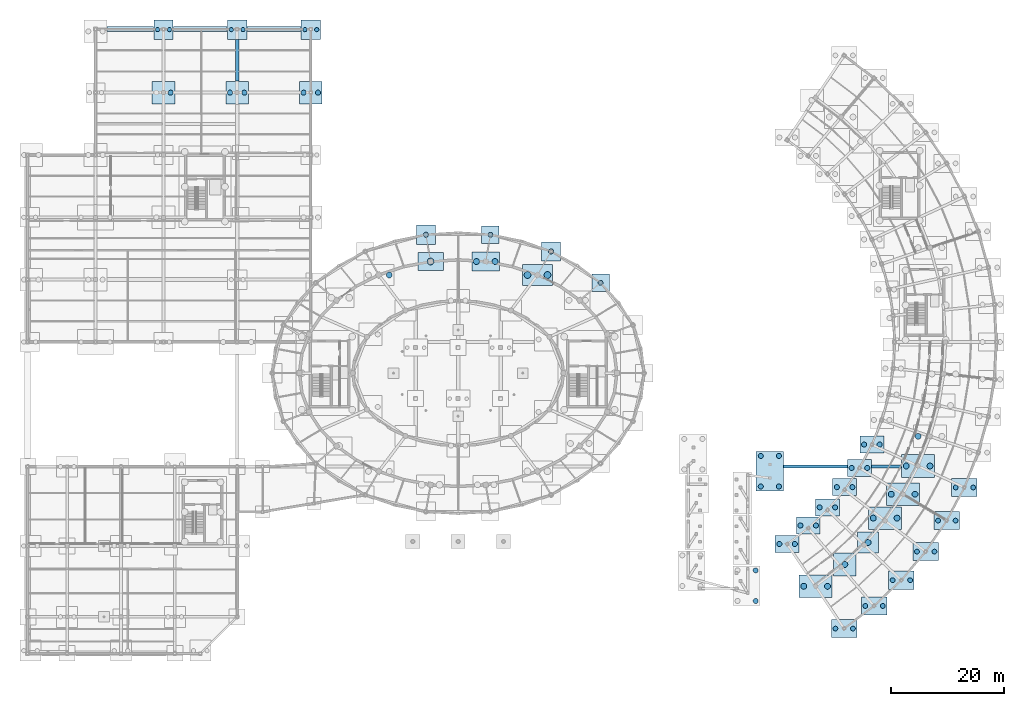
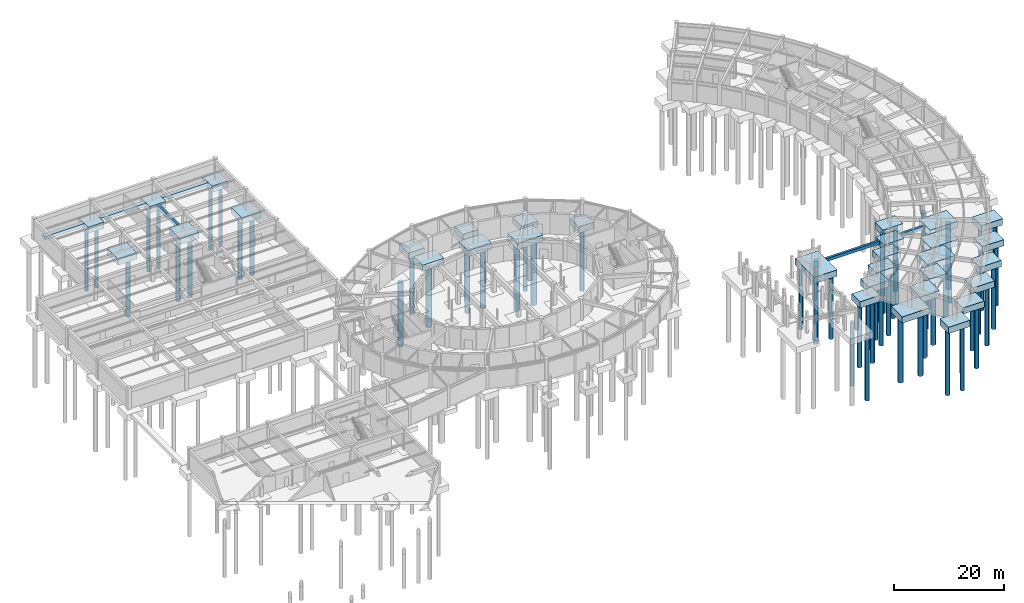
# One storey, part 4 of 42: 62 piles, 38 footings.
"""IFC4 building model written with IfcOpenShell, lengths in metres."""

from ifc_helpers import new_model, si_unit, direction, frame, origin, origin_2d, place, context, subcontext, project, spatial, polyline, rectangle, circle, outline, extrude, material, material_profile, profile_set, type_object, element, save


model = new_model("IFC4")

# Units and contexts
model_context = context("Model", 3, precision=1e-05, world=origin(), true_north=direction((0.0, 1.0)))
body_context = subcontext(model_context, "Body", "Model", "MODEL_VIEW")
ifc_project = project(units=[si_unit("LENGTHUNIT", "METRE"), si_unit("AREAUNIT", "SQUARE_METRE"), si_unit("VOLUMEUNIT", "CUBIC_METRE"), si_unit("PLANEANGLEUNIT", "RADIAN"), si_unit("MASSUNIT", "GRAM", prefix="KILO")], contexts=[model_context])

# Site, building, storey
site_placement = place(None, origin())
site = spatial("IfcSite", under=ifc_project, at=site_placement, CompositionType="ELEMENT")
building_placement = place(site_placement, origin())
building = spatial("IfcBuilding", under=site, at=building_placement, Name="Tarnveldt Headland Concert Hall", CompositionType="ELEMENT")
storey_placement = place(building_placement, frame((0.0, 0.0, -4.800048828125)))
storey = spatial("IfcBuildingStorey", under=building, at=storey_placement, Name="B1", CompositionType="ELEMENT", Elevation=-4.800048828125)

# Footings
ifc_material = material(Name="Concrete C40/50", Category="concrete")
footing_type_1 = type_object("IfcFootingType", Name="FB-01", PredefinedType="FOOTING_BEAM", material=ifc_material)
footing_1_placement = place(storey_placement, frame((0.0, 0.0, -0.699951171875)))
element("IfcFooting", 1, at=footing_1_placement, inside=storey, type_object=footing_type_1, Name="Foundation tie beam 12", PredefinedType="FOOTING_BEAM", context=body_context, shape_type="SweptSolid", body=[
    extrude(outline(polyline([(152.165283203125, 37.75), (152.165283203125, 38.25), (140.949951171875, 38.25), (140.949951171875, 37.75), (152.165283203125, 37.75)])), origin(), (0.0, 0.0, 1.0), 0.699951171875),
])
footing_2_placement = place(storey_placement, frame((0.0, 0.0, -0.699951171875)))
element("IfcFooting", 2, at=footing_2_placement, inside=storey, type_object=footing_type_1, Name="Foundation tie beam 13", PredefinedType="FOOTING_BEAM", context=body_context, shape_type="SweptSolid", body=[
    extrude(outline(polyline([(161.720458984375, 37.75), (161.720458984375, 38.25), (156.465087890625, 38.25), (156.465087890625, 37.75), (161.720458984375, 37.75)])), origin(), (0.0, 0.0, 1.0), 0.699951171875),
])
footing_type_2 = type_object("IfcFootingType", Name="FB-02", PredefinedType="FOOTING_BEAM", material=ifc_material)
footing_3_placement = place(storey_placement, frame((0.0, 0.0, -0.800048828125)))
element("IfcFooting", 3, at=footing_3_placement, inside=storey, type_object=footing_type_2, Name="Foundation strip beam 42", PredefinedType="FOOTING_BEAM", context=body_context, shape_type="SweptSolid", body=[
    extrude(outline(polyline([(44.800048828125, 106.050048828125), (44.800048828125, 113.3701171875), (44.199951171875, 113.3701171875), (44.199951171875, 106.050048828125), (44.800048828125, 106.050048828125)])), origin(), (0.0, 0.0, 1.0), 0.800048828125),
])
footing_type_3 = type_object("IfcFootingType", Name="PC-03", PredefinedType="PILE_CAP", material=ifc_material)
for number, where, z_axis, x_axis, name in (
    (4, (108.626220703125, 70.441162109375, -1.39990234375), (0.0, 0.0, 1.0), (1.0, 0.0, 0.0), "Foundation V1C03"),
    (5, (89.19580078125, 78.923095703125, -1.39990234375), (0.0, 0.0, 1.0), (1.0, 0.0, 0.0), "Foundation V1C05"),
):
    element("IfcFooting", number, at=place(storey_placement, frame(where, z_axis=z_axis, x_axis=x_axis)), inside=storey, type_object=footing_type_3, Name=name, PredefinedType="PILE_CAP", context=body_context, shape_type="SweptSolid", body=[
        extrude(rectangle(XDim=3.10009765625, YDim=3.10009765625, at=origin_2d()), origin(), (0.0, 0.0, 1.0), 1.39990234375),
    ])
footing_type_4 = type_object("IfcFootingType", Name="PC-04", PredefinedType="PILE_CAP", material=ifc_material)
for number, where, z_axis, x_axis, name in (
    (6, (99.89990234375, 75.977294921875, -1.39990234375), (0.0, 0.0, 1.0), (1.0, 0.0, 0.0), "Foundation V1C04"),
    (7, (77.80419921875, 78.923095703125, -1.39990234375), (0.0, 0.0, 1.0), (1.0, 0.0, 0.0), "Foundation V1C06"),
    (8, (31.5, 115.1201171875, -1.39990234375), (0.0, 0.0, 1.0), (1.0, 0.0, 0.0), "Foundation V5C15"),
    (9, (44.5, 115.1201171875, -1.39990234375), (0.0, 0.0, 1.0), (1.0, 0.0, 0.0), "Foundation V5C21"),
    (10, (57.5, 115.1201171875, -1.39990234375), (0.0, 0.0, 1.0), (1.0, 0.0, 0.0), "Foundation V5C25"),
):
    element("IfcFooting", number, at=place(storey_placement, frame(where, z_axis=z_axis, x_axis=x_axis)), inside=storey, type_object=footing_type_4, Name=name, PredefinedType="PILE_CAP", context=body_context, shape_type="SweptSolid", body=[
        extrude(rectangle(XDim=3.39990234375, YDim=3.39990234375, at=origin_2d()), origin(), (0.0, 0.0, 1.0), 1.39990234375),
    ])
footing_type_5 = type_object("IfcFootingType", Name="PC-05", PredefinedType="PILE_CAP", material=ifc_material)
footing_4_placement = place(storey_placement, frame((155.834716796875, 24.618896484375, -1.39990234375), z_axis=(0.0, 0.0, 1.0), x_axis=(1.0, 0.0, 0.0)))
element("IfcFooting", 11, at=footing_4_placement, inside=storey, type_object=footing_type_5, Name="Foundation V3C02MD", PredefinedType="PILE_CAP", context=body_context, shape_type="SweptSolid", body=[
    extrude(rectangle(XDim=3.699951171875, YDim=3.699951171875, at=origin_2d()), origin(), (0.0, 0.0, 1.0), 1.39990234375),
])
footing_type_6 = type_object("IfcFootingType", Name="PC-06", PredefinedType="PILE_CAP", material=ifc_material)
for number, where, z_axis, x_axis, name in (
    (12, (151.729248046875, 20.74560546875, -1.39990234375), (0.0, 0.0, 1.0), (1.0, 0.0, 0.0), "Foundation V3C01MD"),
    (13, (31.5, 104.0, -1.39990234375), (0.0, 0.0, 1.0), (1.0, 0.0, 0.0), "Foundation V5C14"),
    (14, (44.5, 104.0, -1.39990234375), (0.0, 0.0, 1.0), (1.0, 0.0, 0.0), "Foundation V5C20"),
    (15, (57.5, 104.0, -1.39990234375), (0.0, 0.0, 1.0), (1.0, 0.0, 0.0), "Foundation V5C24"),
):
    element("IfcFooting", number, at=place(storey_placement, frame(where, z_axis=z_axis, x_axis=x_axis)), inside=storey, type_object=footing_type_6, Name=name, PredefinedType="PILE_CAP", context=body_context, shape_type="SweptSolid", body=[
        extrude(rectangle(XDim=4.0, YDim=4.0, at=origin_2d()), origin(), (0.0, 0.0, 1.0), 1.39990234375),
    ])
footing_type_7 = type_object("IfcFootingType", Name="PC-07", PredefinedType="PILE_CAP", material=ifc_material)
for number, where, z_axis, x_axis, name in (
    (16, (141.54541015625, 24.351318359375, -1.39990234375), (0.0, 0.0, 1.0), (1.0, 0.0, 0.0), "Foundation V3C00IN"),
    (17, (145.267333984375, 27.617431640625, -1.39990234375), (0.0, 0.0, 1.0), (1.0, 0.0, 0.0), "Foundation V3C01IN"),
    (18, (148.662353515625, 30.820556640625, -1.39990234375), (0.0, 0.0, 1.0), (1.0, 0.0, 0.0), "Foundation V3C02IN"),
    (19, (151.690185546875, 34.37255859375, -1.39990234375), (0.0, 0.0, 1.0), (1.0, 0.0, 0.0), "Foundation V3C03IN"),
    (20, (154.315185546875, 37.781982421875, -1.39990234375), (0.0, 0.0, 1.0), (1.0, 0.0, 0.0), "Foundation V3C04IN"),
    (21, (156.50634765625, 41.903076171875, -1.39990234375), (0.0, 0.0, 1.0), (1.0, 0.0, 0.0), "Foundation V3C05IN"),
):
    element("IfcFooting", number, at=place(storey_placement, frame(where, z_axis=z_axis, x_axis=x_axis)), inside=storey, type_object=footing_type_7, Name=name, PredefinedType="PILE_CAP", context=body_context, shape_type="SweptSolid", body=[
        extrude(rectangle(XDim=4.199951171875, YDim=3.0, at=origin_2d()), origin(), (0.0, 0.0, 1.0), 1.39990234375),
    ])
footing_type_8 = type_object("IfcFootingType", Name="PC-08", PredefinedType="PILE_CAP", material=ifc_material)
for number, where, z_axis, x_axis, name in (
    (22, (78.637939453125, 74.1962890625, -1.39990234375), (0.0, 0.0, 1.0), (1.0, 0.0, 0.0), "Foundation V2DC06"),
    (23, (151.61083984375, 9.4287109375, -1.39990234375), (0.0, 0.0, 1.0), (1.0, 0.0, 0.0), "Foundation V3C00OUT"),
    (24, (156.89111328125, 13.423583984375, -1.39990234375), (0.0, 0.0, 1.0), (1.0, 0.0, 0.0), "Foundation V3C01OUT"),
    (25, (161.70703125, 17.967529296875, -1.39990234375), (0.0, 0.0, 1.0), (1.0, 0.0, 0.0), "Foundation V3C02OUT"),
    (26, (166.00244140625, 23.006591796875, -1.39990234375), (0.0, 0.0, 1.0), (1.0, 0.0, 0.0), "Foundation V3C03OUT"),
    (27, (169.726318359375, 28.481201171875, -1.39990234375), (0.0, 0.0, 1.0), (1.0, 0.0, 0.0), "Foundation V3C04OUT"),
    (28, (172.834716796875, 34.327392578125, -1.39990234375), (0.0, 0.0, 1.0), (1.0, 0.0, 0.0), "Foundation V3C05OUT"),
):
    element("IfcFooting", number, at=place(storey_placement, frame(where, z_axis=z_axis, x_axis=x_axis)), inside=storey, type_object=footing_type_8, Name=name, PredefinedType="PILE_CAP", context=body_context, shape_type="SweptSolid", body=[
        extrude(rectangle(XDim=4.5, YDim=3.199951171875, at=origin_2d()), origin(), (0.0, 0.0, 1.0), 1.39990234375),
    ])
footing_type_9 = type_object("IfcFootingType", Name="PC-09", PredefinedType="PILE_CAP", material=ifc_material)
footing_5_placement = place(storey_placement, frame((88.362060546875, 74.1962890625, -1.39990234375), z_axis=(0.0, 0.0, 1.0), x_axis=(1.0, 0.0, 0.0)))
element("IfcFooting", 29, at=footing_5_placement, inside=storey, type_object=footing_type_9, Name="Foundation V2DC05", PredefinedType="PILE_CAP", context=body_context, shape_type="SweptSolid", body=[
    extrude(rectangle(XDim=4.89990234375, YDim=3.39990234375, at=origin_2d()), origin(), (0.0, 0.0, 1.0), 1.39990234375),
])
footing_type_10 = type_object("IfcFootingType", Name="PC-10", PredefinedType="PILE_CAP", material=ifc_material)
footing_6_placement = place(storey_placement, frame((97.5, 71.820556640625, -1.39990234375), z_axis=(0.0, 0.0, 1.0), x_axis=(1.0, 0.0, 0.0)))
element("IfcFooting", 30, at=footing_6_placement, inside=storey, type_object=footing_type_10, Name="Foundation V2DC04", PredefinedType="PILE_CAP", context=body_context, shape_type="SweptSolid", body=[
    extrude(rectangle(XDim=5.300048828125, YDim=3.699951171875, at=origin_2d()), origin(), (0.0, 0.0, 1.0), 1.39990234375),
])
footing_type_11 = type_object("IfcFootingType", Name="PC-11", PredefinedType="PILE_CAP", material=ifc_material)
for number, where, z_axis, x_axis, name in (
    (31, (146.577880859375, 16.889892578125, -1.39990234375), (0.0, 0.0, 1.0), (1.0, 0.0, 0.0), "Foundation V3C00MD"),
    (32, (158.84619140625, 28.91455078125, -1.39990234375), (0.0, 0.0, 1.0), (1.0, 0.0, 0.0), "Foundation V3C03MD"),
    (33, (162.020751953125, 33.131591796875, -1.39990234375), (0.0, 0.0, 1.0), (1.0, 0.0, 0.0), "Foundation V3C04MD"),
    (34, (164.67041015625, 38.115234375, -1.39990234375), (0.0, 0.0, 1.0), (1.0, 0.0, 0.0), "Foundation V3C05MD"),
):
    element("IfcFooting", number, at=place(storey_placement, frame(where, z_axis=z_axis, x_axis=x_axis)), inside=storey, type_object=footing_type_11, Name=name, PredefinedType="PILE_CAP", context=body_context, shape_type="SweptSolid", body=[
        extrude(rectangle(XDim=5.800048828125, YDim=4.0, at=origin_2d()), origin(), (0.0, 0.0, 1.0), 1.39990234375),
    ])
footing_type_12 = type_object("IfcFootingType", Name="PC-13", PredefinedType="PILE_CAP", material=ifc_material)
footing_7_placement = place(storey_placement, frame((138.5, 37.199951171875, -1.39990234375), z_axis=(0.0, 0.0, 1.0), x_axis=(1.0, 0.0, 0.0)))
element("IfcFooting", 35, at=footing_7_placement, inside=storey, type_object=footing_type_12, Name="Combined pile cap BRP03", PredefinedType="PILE_CAP", context=body_context, shape_type="SweptSolid", body=[
    extrude(rectangle(XDim=4.800048828125, YDim=7.0, at=origin_2d()), origin(), (0.0, 0.0, 1.0), 1.39990234375),
])

# Piles
ifc_material_profile_1 = material_profile(ifc_material, circle(Radius=0.52490234375, at=origin_2d()), Name="BORED PILE D1050", Category="concrete")
ifc_profile_set_1 = profile_set([ifc_material_profile_1], Name="Concrete C40/50")
pile_type_1 = type_object("IfcPileType", Name="PL-1050", PredefinedType="BORED", material=ifc_profile_set_1)
for number, where, z_axis, x_axis, name in (
    (36, (86.717041015625, 74.1962890625, -1.300048828125), (0.0, 0.0, -1.0), (1.0, 0.0, 0.0), "Bored pile PILE-V2DC05-01"),
    (37, (90.007080078125, 74.1962890625, -1.300048828125), (0.0, 0.0, -1.0), (1.0, 0.0, 0.0), "Bored pile PILE-V2DC05-02"),
):
    element("IfcPile", number, at=place(storey_placement, frame(where, z_axis=z_axis, x_axis=x_axis)), inside=storey, type_object=pile_type_1, Name=name, PredefinedType="BORED", context=body_context, shape_type="SweptSolid", body=[
        extrude(circle(Radius=0.52490234375, at=origin_2d()), origin(), (0.0, 0.0, 1.0), 13.60009765625),
    ])
pile_1_placement = place(storey_placement, frame((71.344970703125, 71.820556640625, -1.300048828125), z_axis=(0.0, 0.0, -1.0), x_axis=(1.0, 0.0, 0.0)))
element("IfcPile", 38, at=pile_1_placement, inside=storey, type_object=pile_type_1, Name="Bored pile PILE-V2DC07-02", PredefinedType="BORED", context=body_context, shape_type="SweptSolid", body=[
    extrude(circle(Radius=0.52490234375, at=origin_2d()), origin(), (0.0, 0.0, 1.0), 14.199951171875),
])
for number, where, z_axis, x_axis, name in (
    (39, (144.48291015625, 16.889892578125, -1.300048828125), (0.0, 0.0, -1.0), (1.0, 0.0, 0.0), "Bored pile PILE-V3C00MD-01"),
    (40, (148.673095703125, 16.889892578125, -1.300048828125), (0.0, 0.0, -1.0), (1.0, 0.0, 0.0), "Bored pile PILE-V3C00MD-02"),
):
    element("IfcPile", number, at=place(storey_placement, frame(where, z_axis=z_axis, x_axis=x_axis)), inside=storey, type_object=pile_type_1, Name=name, PredefinedType="BORED", context=body_context, shape_type="SweptSolid", body=[
        extrude(circle(Radius=0.52490234375, at=origin_2d()), origin(), (0.0, 0.0, 1.0), 14.5),
    ])
pile_2_placement = place(storey_placement, frame((151.729248046875, 20.74560546875, -1.300048828125), z_axis=(0.0, 0.0, -1.0), x_axis=(1.0, 0.0, 0.0)))
element("IfcPile", 41, at=pile_2_placement, inside=storey, type_object=pile_type_1, Name="Bored pile PILE-V3C01MD-01", PredefinedType="BORED", context=body_context, shape_type="SweptSolid", body=[
    extrude(circle(Radius=0.52490234375, at=origin_2d()), origin(), (0.0, 0.0, 1.0), 13.89990234375),
])
pile_3_placement = place(storey_placement, frame((155.834716796875, 24.618896484375, -1.300048828125), z_axis=(0.0, 0.0, -1.0), x_axis=(1.0, 0.0, 0.0)))
element("IfcPile", 42, at=pile_3_placement, inside=storey, type_object=pile_type_1, Name="Bored pile PILE-V3C02MD-01", PredefinedType="BORED", context=body_context, shape_type="SweptSolid", body=[
    extrude(circle(Radius=0.52490234375, at=origin_2d()), origin(), (0.0, 0.0, 1.0), 14.800048828125),
])
for number, where, z_axis, x_axis, name in (
    (43, (156.751220703125, 28.91455078125, -1.300048828125), (0.0, 0.0, -1.0), (1.0, 0.0, 0.0), "Bored pile PILE-V3C03MD-01"),
    (44, (160.94140625, 28.91455078125, -1.300048828125), (0.0, 0.0, -1.0), (1.0, 0.0, 0.0), "Bored pile PILE-V3C03MD-02"),
):
    element("IfcPile", number, at=place(storey_placement, frame(where, z_axis=z_axis, x_axis=x_axis)), inside=storey, type_object=pile_type_1, Name=name, PredefinedType="BORED", context=body_context, shape_type="SweptSolid", body=[
        extrude(circle(Radius=0.52490234375, at=origin_2d()), origin(), (0.0, 0.0, 1.0), 14.199951171875),
    ])
for number, where, z_axis, x_axis, name in (
    (45, (159.92578125, 33.131591796875, -1.300048828125), (0.0, 0.0, -1.0), (1.0, 0.0, 0.0), "Bored pile PILE-V3C04MD-01"),
    (46, (164.11572265625, 33.131591796875, -1.300048828125), (0.0, 0.0, -1.0), (1.0, 0.0, 0.0), "Bored pile PILE-V3C04MD-02"),
):
    element("IfcPile", number, at=place(storey_placement, frame(where, z_axis=z_axis, x_axis=x_axis)), inside=storey, type_object=pile_type_1, Name=name, PredefinedType="BORED", context=body_context, shape_type="SweptSolid", body=[
        extrude(circle(Radius=0.52490234375, at=origin_2d()), origin(), (0.0, 0.0, 1.0), 13.60009765625),
    ])
for number, where, z_axis, x_axis, name in (
    (47, (162.575439453125, 38.115234375, -1.300048828125), (0.0, 0.0, -1.0), (1.0, 0.0, 0.0), "Bored pile PILE-V3C05MD-01"),
    (48, (166.765380859375, 38.115234375, -1.300048828125), (0.0, 0.0, -1.0), (1.0, 0.0, 0.0), "Bored pile PILE-V3C05MD-02"),
):
    element("IfcPile", number, at=place(storey_placement, frame(where, z_axis=z_axis, x_axis=x_axis)), inside=storey, type_object=pile_type_1, Name=name, PredefinedType="BORED", context=body_context, shape_type="SweptSolid", body=[
        extrude(circle(Radius=0.52490234375, at=origin_2d()), origin(), (0.0, 0.0, 1.0), 14.5),
    ])
pile_4_placement = place(storey_placement, frame((164.669677734375, 43.356689453125, -1.300048828125), z_axis=(0.0, 0.0, -1.0), x_axis=(1.0, 0.0, 0.0)))
element("IfcPile", 49, at=pile_4_placement, inside=storey, type_object=pile_type_1, Name="Bored pile PILE-V3C06MD-01", PredefinedType="BORED", context=body_context, shape_type="SweptSolid", body=[
    extrude(circle(Radius=0.52490234375, at=origin_2d()), origin(), (0.0, 0.0, 1.0), 13.89990234375),
])
ifc_material_profile_2 = material_profile(ifc_material, circle(Radius=0.60009765625, at=origin_2d()), Name="BORED PILE D1200", Category="concrete")
ifc_profile_set_2 = profile_set([ifc_material_profile_2], Name="Concrete C40/50")
pile_type_2 = type_object("IfcPileType", Name="PL-1200", PredefinedType="BORED", material=ifc_profile_set_2)
for number, where, z_axis, x_axis, name in (
    (50, (95.72998046875, 71.820556640625, -1.300048828125), (0.0, 0.0, -1.0), (1.0, 0.0, 0.0), "Bored pile PILE-V2DC04-01"),
    (51, (99.27001953125, 71.820556640625, -1.300048828125), (0.0, 0.0, -1.0), (1.0, 0.0, 0.0), "Bored pile PILE-V2DC04-02"),
):
    element("IfcPile", number, at=place(storey_placement, frame(where, z_axis=z_axis, x_axis=x_axis)), inside=storey, type_object=pile_type_2, Name=name, PredefinedType="BORED", context=body_context, shape_type="SweptSolid", body=[
        extrude(circle(Radius=0.60009765625, at=origin_2d()), origin(), (0.0, 0.0, 1.0), 14.800048828125),
    ])
pile_5_placement = place(storey_placement, frame((78.637939453125, 74.1962890625, -1.300048828125), z_axis=(0.0, 0.0, -1.0), x_axis=(1.0, 0.0, 0.0)))
element("IfcPile", 52, at=pile_5_placement, inside=storey, type_object=pile_type_2, Name="Bored pile PILE-V2DC06-01", PredefinedType="BORED", context=body_context, shape_type="SweptSolid", body=[
    extrude(circle(Radius=0.60009765625, at=origin_2d()), origin(), (0.0, 0.0, 1.0), 13.89990234375),
])
ifc_material_profile_3 = material_profile(ifc_material, circle(Radius=0.375, at=origin_2d()), Name="BORED PILE D750", Category="concrete")
ifc_profile_set_3 = profile_set([ifc_material_profile_3], Name="Concrete C40/50")
pile_type_3 = type_object("IfcPileType", Name="PL-750", PredefinedType="BORED", material=ifc_profile_set_3)
for number, where, z_axis, x_axis, name in (
    (53, (30.455078125, 115.1201171875, -1.300048828125), (0.0, 0.0, -1.0), (1.0, 0.0, 0.0), "Bored pile PILE-V5C15-01"),
    (54, (32.544921875, 115.1201171875, -1.300048828125), (0.0, 0.0, -1.0), (1.0, 0.0, 0.0), "Bored pile PILE-V5C15-02"),
):
    element("IfcPile", number, at=place(storey_placement, frame(where, z_axis=z_axis, x_axis=x_axis)), inside=storey, type_object=pile_type_3, Name=name, PredefinedType="BORED", context=body_context, shape_type="SweptSolid", body=[
        extrude(circle(Radius=0.375, at=origin_2d()), origin(), (0.0, 0.0, 1.0), 13.89990234375),
    ])
for number, where, z_axis, x_axis, name in (
    (55, (43.455078125, 115.1201171875, -1.300048828125), (0.0, 0.0, -1.0), (1.0, 0.0, 0.0), "Bored pile PILE-V5C21-01"),
    (56, (45.544921875, 115.1201171875, -1.300048828125), (0.0, 0.0, -1.0), (1.0, 0.0, 0.0), "Bored pile PILE-V5C21-02"),
):
    element("IfcPile", number, at=place(storey_placement, frame(where, z_axis=z_axis, x_axis=x_axis)), inside=storey, type_object=pile_type_3, Name=name, PredefinedType="BORED", context=body_context, shape_type="SweptSolid", body=[
        extrude(circle(Radius=0.375, at=origin_2d()), origin(), (0.0, 0.0, 1.0), 14.199951171875),
    ])
for number, where, z_axis, x_axis, name in (
    (57, (56.455078125, 115.1201171875, -1.300048828125), (0.0, 0.0, -1.0), (1.0, 0.0, 0.0), "Bored pile PILE-V5C25-01"),
    (58, (58.544921875, 115.1201171875, -1.300048828125), (0.0, 0.0, -1.0), (1.0, 0.0, 0.0), "Bored pile PILE-V5C25-02"),
):
    element("IfcPile", number, at=place(storey_placement, frame(where, z_axis=z_axis, x_axis=x_axis)), inside=storey, type_object=pile_type_3, Name=name, PredefinedType="BORED", context=body_context, shape_type="SweptSolid", body=[
        extrude(circle(Radius=0.375, at=origin_2d()), origin(), (0.0, 0.0, 1.0), 13.89990234375),
    ])
ifc_material_profile_4 = material_profile(ifc_material, circle(Radius=0.425048828125, at=origin_2d()), Name="BORED PILE D850", Category="concrete")
ifc_profile_set_4 = profile_set([ifc_material_profile_4], Name="Concrete C40/50")
pile_type_4 = type_object("IfcPileType", Name="PL-850", PredefinedType="BORED", material=ifc_profile_set_4)
pile_6_placement = place(storey_placement, frame((108.626220703125, 70.441162109375, -1.300048828125), z_axis=(0.0, 0.0, -1.0), x_axis=(1.0, 0.0, 0.0)))
element("IfcPile", 59, at=pile_6_placement, inside=storey, type_object=pile_type_4, Name="Bored pile PILE-V1C03-01", PredefinedType="BORED", context=body_context, shape_type="SweptSolid", body=[
    extrude(circle(Radius=0.425048828125, at=origin_2d()), origin(), (0.0, 0.0, 1.0), 14.199951171875),
])
for number, where, z_axis, x_axis, name in (
    (60, (89.19580078125, 78.923095703125, -1.300048828125), (0.0, 0.0, -1.0), (1.0, 0.0, 0.0), "Bored pile PILE-V1C05-01"),
    (61, (150.06591796875, 9.4287109375, -1.300048828125), (0.0, 0.0, -1.0), (1.0, 0.0, 0.0), "Bored pile PILE-V3C00OUT-01"),
    (62, (153.15576171875, 9.4287109375, -1.300048828125), (0.0, 0.0, -1.0), (1.0, 0.0, 0.0), "Bored pile PILE-V3C00OUT-02"),
):
    element("IfcPile", number, at=place(storey_placement, frame(where, z_axis=z_axis, x_axis=x_axis)), inside=storey, type_object=pile_type_4, Name=name, PredefinedType="BORED", context=body_context, shape_type="SweptSolid", body=[
        extrude(circle(Radius=0.425048828125, at=origin_2d()), origin(), (0.0, 0.0, 1.0), 14.800048828125),
    ])
for number, where, z_axis, x_axis, name in (
    (63, (155.345947265625, 13.423583984375, -1.300048828125), (0.0, 0.0, -1.0), (1.0, 0.0, 0.0), "Bored pile PILE-V3C01OUT-01"),
    (64, (158.43603515625, 13.423583984375, -1.300048828125), (0.0, 0.0, -1.0), (1.0, 0.0, 0.0), "Bored pile PILE-V3C01OUT-02"),
):
    element("IfcPile", number, at=place(storey_placement, frame(where, z_axis=z_axis, x_axis=x_axis)), inside=storey, type_object=pile_type_4, Name=name, PredefinedType="BORED", context=body_context, shape_type="SweptSolid", body=[
        extrude(circle(Radius=0.425048828125, at=origin_2d()), origin(), (0.0, 0.0, 1.0), 14.199951171875),
    ])
for number, where, z_axis, x_axis, name in (
    (65, (160.162109375, 17.967529296875, -1.300048828125), (0.0, 0.0, -1.0), (1.0, 0.0, 0.0), "Bored pile PILE-V3C02OUT-01"),
    (66, (163.252197265625, 17.967529296875, -1.300048828125), (0.0, 0.0, -1.0), (1.0, 0.0, 0.0), "Bored pile PILE-V3C02OUT-02"),
):
    element("IfcPile", number, at=place(storey_placement, frame(where, z_axis=z_axis, x_axis=x_axis)), inside=storey, type_object=pile_type_4, Name=name, PredefinedType="BORED", context=body_context, shape_type="SweptSolid", body=[
        extrude(circle(Radius=0.425048828125, at=origin_2d()), origin(), (0.0, 0.0, 1.0), 13.60009765625),
    ])
for number, where, z_axis, x_axis, name in (
    (67, (164.45751953125, 23.006591796875, -1.300048828125), (0.0, 0.0, -1.0), (1.0, 0.0, 0.0), "Bored pile PILE-V3C03OUT-01"),
    (68, (167.54736328125, 23.006591796875, -1.300048828125), (0.0, 0.0, -1.0), (1.0, 0.0, 0.0), "Bored pile PILE-V3C03OUT-02"),
):
    element("IfcPile", number, at=place(storey_placement, frame(where, z_axis=z_axis, x_axis=x_axis)), inside=storey, type_object=pile_type_4, Name=name, PredefinedType="BORED", context=body_context, shape_type="SweptSolid", body=[
        extrude(circle(Radius=0.425048828125, at=origin_2d()), origin(), (0.0, 0.0, 1.0), 14.5),
    ])
for number, where, z_axis, x_axis, name in (
    (69, (168.18115234375, 28.481201171875, -1.300048828125), (0.0, 0.0, -1.0), (1.0, 0.0, 0.0), "Bored pile PILE-V3C04OUT-01"),
    (70, (171.271240234375, 28.481201171875, -1.300048828125), (0.0, 0.0, -1.0), (1.0, 0.0, 0.0), "Bored pile PILE-V3C04OUT-02"),
):
    element("IfcPile", number, at=place(storey_placement, frame(where, z_axis=z_axis, x_axis=x_axis)), inside=storey, type_object=pile_type_4, Name=name, PredefinedType="BORED", context=body_context, shape_type="SweptSolid", body=[
        extrude(circle(Radius=0.425048828125, at=origin_2d()), origin(), (0.0, 0.0, 1.0), 13.89990234375),
    ])
for number, where, z_axis, x_axis, name in (
    (71, (171.289794921875, 34.327392578125, -1.300048828125), (0.0, 0.0, -1.0), (1.0, 0.0, 0.0), "Bored pile PILE-V3C05OUT-01"),
    (72, (174.379638671875, 34.327392578125, -1.300048828125), (0.0, 0.0, -1.0), (1.0, 0.0, 0.0), "Bored pile PILE-V3C05OUT-02"),
):
    element("IfcPile", number, at=place(storey_placement, frame(where, z_axis=z_axis, x_axis=x_axis)), inside=storey, type_object=pile_type_4, Name=name, PredefinedType="BORED", context=body_context, shape_type="SweptSolid", body=[
        extrude(circle(Radius=0.425048828125, at=origin_2d()), origin(), (0.0, 0.0, 1.0), 14.800048828125),
    ])
ifc_material_profile_5 = material_profile(ifc_material, circle(Radius=0.449951171875, at=origin_2d()), Name="BORED PILE D900", Category="concrete")
ifc_profile_set_5 = profile_set([ifc_material_profile_5], Name="Concrete C40/50")
pile_type_5 = type_object("IfcPileType", Name="PL-900", PredefinedType="BORED", material=ifc_profile_set_5)
for number, where, z_axis, x_axis, name in (
    (73, (136.89990234375, 34.5, -1.300048828125), (0.0, 0.0, -1.0), (1.0, 0.0, 0.0), "Bored pile PILE-BRP03-01"),
    (74, (140.10009765625, 34.5, -1.300048828125), (0.0, 0.0, -1.0), (1.0, 0.0, 0.0), "Bored pile PILE-BRP03-02"),
    (75, (136.89990234375, 39.89990234375, -1.300048828125), (0.0, 0.0, -1.0), (1.0, 0.0, 0.0), "Bored pile PILE-BRP03-03"),
    (76, (140.10009765625, 39.89990234375, -1.300048828125), (0.0, 0.0, -1.0), (1.0, 0.0, 0.0), "Bored pile PILE-BRP03-04"),
    (77, (136.0, 14.300048828125, -1.300048828125), (0.0, 0.0, -1.0), (1.0, 0.0, 0.0), "Bored pile PILE-RMPE1S-02"),
    (78, (136.0, 19.699951171875, -1.300048828125), (0.0, 0.0, -1.0), (1.0, 0.0, 0.0), "Bored pile PILE-RMPE1S-04"),
):
    element("IfcPile", number, at=place(storey_placement, frame(where, z_axis=z_axis, x_axis=x_axis)), inside=storey, type_object=pile_type_5, Name=name, PredefinedType="BORED", context=body_context, shape_type="SweptSolid", body=[
        extrude(circle(Radius=0.449951171875, at=origin_2d()), origin(), (0.0, 0.0, 1.0), 14.0),
    ])
pile_7_placement = place(storey_placement, frame((99.89990234375, 75.977294921875, -1.300048828125), z_axis=(0.0, 0.0, -1.0), x_axis=(1.0, 0.0, 0.0)))
element("IfcPile", 79, at=pile_7_placement, inside=storey, type_object=pile_type_5, Name="Bored pile PILE-V1C04-01", PredefinedType="BORED", context=body_context, shape_type="SweptSolid", body=[
    extrude(circle(Radius=0.449951171875, at=origin_2d()), origin(), (0.0, 0.0, 1.0), 14.5),
])
pile_8_placement = place(storey_placement, frame((77.80419921875, 78.923095703125, -1.300048828125), z_axis=(0.0, 0.0, -1.0), x_axis=(1.0, 0.0, 0.0)))
element("IfcPile", 80, at=pile_8_placement, inside=storey, type_object=pile_type_5, Name="Bored pile PILE-V1C06-01", PredefinedType="BORED", context=body_context, shape_type="SweptSolid", body=[
    extrude(circle(Radius=0.449951171875, at=origin_2d()), origin(), (0.0, 0.0, 1.0), 13.60009765625),
])
for number, where, z_axis, x_axis, name in (
    (81, (140.17529296875, 24.351318359375, -1.300048828125), (0.0, 0.0, -1.0), (1.0, 0.0, 0.0), "Bored pile PILE-V3C00IN-01"),
    (82, (142.915283203125, 24.351318359375, -1.300048828125), (0.0, 0.0, -1.0), (1.0, 0.0, 0.0), "Bored pile PILE-V3C00IN-02"),
):
    element("IfcPile", number, at=place(storey_placement, frame(where, z_axis=z_axis, x_axis=x_axis)), inside=storey, type_object=pile_type_5, Name=name, PredefinedType="BORED", context=body_context, shape_type="SweptSolid", body=[
        extrude(circle(Radius=0.449951171875, at=origin_2d()), origin(), (0.0, 0.0, 1.0), 14.199951171875),
    ])
for number, where, z_axis, x_axis, name in (
    (83, (143.8974609375, 27.617431640625, -1.300048828125), (0.0, 0.0, -1.0), (1.0, 0.0, 0.0), "Bored pile PILE-V3C01IN-01"),
    (84, (146.637451171875, 27.617431640625, -1.300048828125), (0.0, 0.0, -1.0), (1.0, 0.0, 0.0), "Bored pile PILE-V3C01IN-02"),
):
    element("IfcPile", number, at=place(storey_placement, frame(where, z_axis=z_axis, x_axis=x_axis)), inside=storey, type_object=pile_type_5, Name=name, PredefinedType="BORED", context=body_context, shape_type="SweptSolid", body=[
        extrude(circle(Radius=0.449951171875, at=origin_2d()), origin(), (0.0, 0.0, 1.0), 13.60009765625),
    ])
for number, where, z_axis, x_axis, name in (
    (85, (147.29248046875, 30.820556640625, -1.300048828125), (0.0, 0.0, -1.0), (1.0, 0.0, 0.0), "Bored pile PILE-V3C02IN-01"),
    (86, (150.032470703125, 30.820556640625, -1.300048828125), (0.0, 0.0, -1.0), (1.0, 0.0, 0.0), "Bored pile PILE-V3C02IN-02"),
):
    element("IfcPile", number, at=place(storey_placement, frame(where, z_axis=z_axis, x_axis=x_axis)), inside=storey, type_object=pile_type_5, Name=name, PredefinedType="BORED", context=body_context, shape_type="SweptSolid", body=[
        extrude(circle(Radius=0.449951171875, at=origin_2d()), origin(), (0.0, 0.0, 1.0), 14.5),
    ])
for number, where, z_axis, x_axis, name in (
    (87, (150.3203125, 34.37255859375, -1.300048828125), (0.0, 0.0, -1.0), (1.0, 0.0, 0.0), "Bored pile PILE-V3C03IN-01"),
    (88, (153.060302734375, 34.37255859375, -1.300048828125), (0.0, 0.0, -1.0), (1.0, 0.0, 0.0), "Bored pile PILE-V3C03IN-02"),
):
    element("IfcPile", number, at=place(storey_placement, frame(where, z_axis=z_axis, x_axis=x_axis)), inside=storey, type_object=pile_type_5, Name=name, PredefinedType="BORED", context=body_context, shape_type="SweptSolid", body=[
        extrude(circle(Radius=0.449951171875, at=origin_2d()), origin(), (0.0, 0.0, 1.0), 13.89990234375),
    ])
for number, where, z_axis, x_axis, name in (
    (89, (152.9453125, 37.781982421875, -1.300048828125), (0.0, 0.0, -1.0), (1.0, 0.0, 0.0), "Bored pile PILE-V3C04IN-01"),
    (90, (155.685302734375, 37.781982421875, -1.300048828125), (0.0, 0.0, -1.0), (1.0, 0.0, 0.0), "Bored pile PILE-V3C04IN-02"),
):
    element("IfcPile", number, at=place(storey_placement, frame(where, z_axis=z_axis, x_axis=x_axis)), inside=storey, type_object=pile_type_5, Name=name, PredefinedType="BORED", context=body_context, shape_type="SweptSolid", body=[
        extrude(circle(Radius=0.449951171875, at=origin_2d()), origin(), (0.0, 0.0, 1.0), 14.800048828125),
    ])
for number, where, z_axis, x_axis, name in (
    (91, (155.136474609375, 41.903076171875, -1.300048828125), (0.0, 0.0, -1.0), (1.0, 0.0, 0.0), "Bored pile PILE-V3C05IN-01"),
    (92, (157.87646484375, 41.903076171875, -1.300048828125), (0.0, 0.0, -1.0), (1.0, 0.0, 0.0), "Bored pile PILE-V3C05IN-02"),
):
    element("IfcPile", number, at=place(storey_placement, frame(where, z_axis=z_axis, x_axis=x_axis)), inside=storey, type_object=pile_type_5, Name=name, PredefinedType="BORED", context=body_context, shape_type="SweptSolid", body=[
        extrude(circle(Radius=0.449951171875, at=origin_2d()), origin(), (0.0, 0.0, 1.0), 14.199951171875),
    ])
pile_9_placement = place(storey_placement, frame((32.77001953125, 104.0, -1.300048828125), z_axis=(0.0, 0.0, -1.0), x_axis=(1.0, 0.0, 0.0)))
element("IfcPile", 93, at=pile_9_placement, inside=storey, type_object=pile_type_5, Name="Bored pile PILE-V5C14-02", PredefinedType="BORED", context=body_context, shape_type="SweptSolid", body=[
    extrude(circle(Radius=0.449951171875, at=origin_2d()), origin(), (0.0, 0.0, 1.0), 13.60009765625),
])
for number, where, z_axis, x_axis, name in (
    (94, (43.22998046875, 104.0, -1.300048828125), (0.0, 0.0, -1.0), (1.0, 0.0, 0.0), "Bored pile PILE-V5C20-01"),
    (95, (45.77001953125, 104.0, -1.300048828125), (0.0, 0.0, -1.0), (1.0, 0.0, 0.0), "Bored pile PILE-V5C20-02"),
):
    element("IfcPile", number, at=place(storey_placement, frame(where, z_axis=z_axis, x_axis=x_axis)), inside=storey, type_object=pile_type_5, Name=name, PredefinedType="BORED", context=body_context, shape_type="SweptSolid", body=[
        extrude(circle(Radius=0.449951171875, at=origin_2d()), origin(), (0.0, 0.0, 1.0), 13.89990234375),
    ])
for number, where, z_axis, x_axis, name in (
    (96, (56.22998046875, 104.0, -1.300048828125), (0.0, 0.0, -1.0), (1.0, 0.0, 0.0), "Bored pile PILE-V5C24-01"),
    (97, (58.77001953125, 104.0, -1.300048828125), (0.0, 0.0, -1.0), (1.0, 0.0, 0.0), "Bored pile PILE-V5C24-02"),
):
    element("IfcPile", number, at=place(storey_placement, frame(where, z_axis=z_axis, x_axis=x_axis)), inside=storey, type_object=pile_type_5, Name=name, PredefinedType="BORED", context=body_context, shape_type="SweptSolid", body=[
        extrude(circle(Radius=0.449951171875, at=origin_2d()), origin(), (0.0, 0.0, 1.0), 13.60009765625),
    ])

# Footings
footing_type_13 = type_object("IfcFootingType", Name="SF-01", PredefinedType="STRIP_FOOTING", material=ifc_material)
footing_8_placement = place(storey_placement, frame((0.0, 0.0, -0.699951171875)))
element("IfcFooting", 98, at=footing_8_placement, inside=storey, type_object=footing_type_13, Name="Foundation tie beam 20", PredefinedType="STRIP_FOOTING", context=body_context, shape_type="SweptSolid", body=[
    extrude(outline(polyline([(29.75, 114.75), (29.75, 115.64990234375), (21.550048828125, 115.64990234375), (21.550048828125, 114.75), (29.75, 114.75)])), origin(), (0.0, 0.0, 1.0), 0.699951171875),
])
footing_9_placement = place(storey_placement, frame((0.0, 0.0, -0.699951171875)))
element("IfcFooting", 99, at=footing_9_placement, inside=storey, type_object=footing_type_13, Name="Foundation tie beam 21", PredefinedType="STRIP_FOOTING", context=body_context, shape_type="SweptSolid", body=[
    extrude(outline(polyline([(42.75, 114.75), (42.75, 115.64990234375), (33.25, 115.64990234375), (33.25, 114.75), (42.75, 114.75)])), origin(), (0.0, 0.0, 1.0), 0.699951171875),
])
footing_10_placement = place(storey_placement, frame((0.0, 0.0, -0.699951171875)))
element("IfcFooting", 100, at=footing_10_placement, inside=storey, type_object=footing_type_13, Name="Foundation tie beam 22", PredefinedType="STRIP_FOOTING", context=body_context, shape_type="SweptSolid", body=[
    extrude(outline(polyline([(55.75, 114.75), (55.75, 115.64990234375), (46.25, 115.64990234375), (46.25, 114.75), (55.75, 114.75)])), origin(), (0.0, 0.0, 1.0), 0.699951171875),
])

save(model, "model.ifc")
